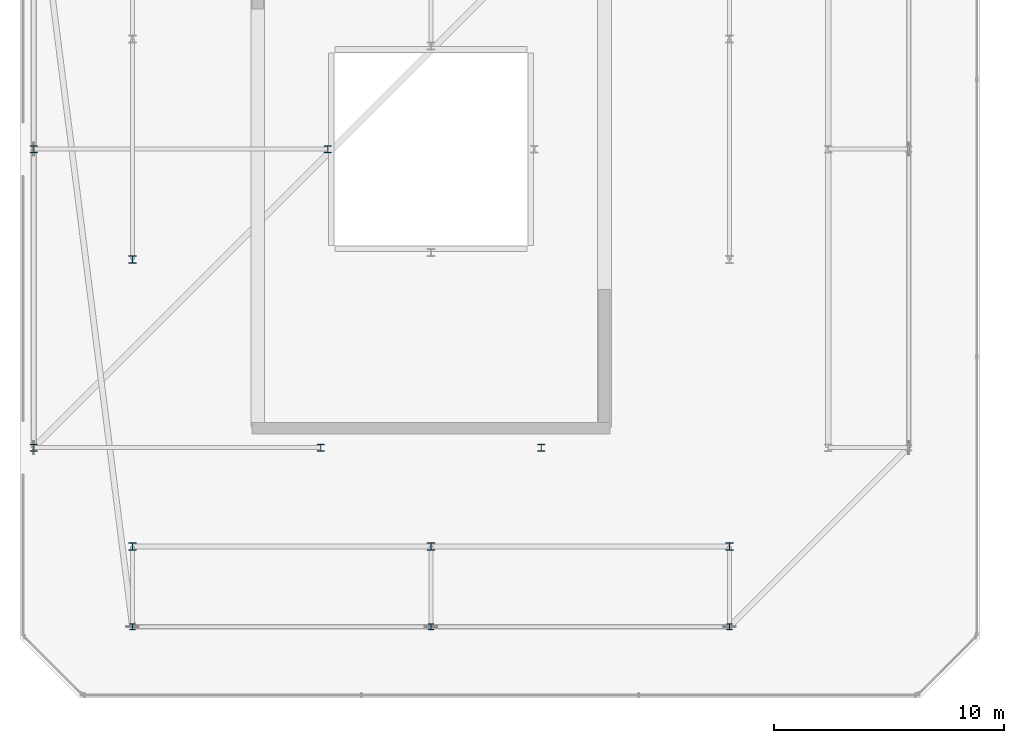
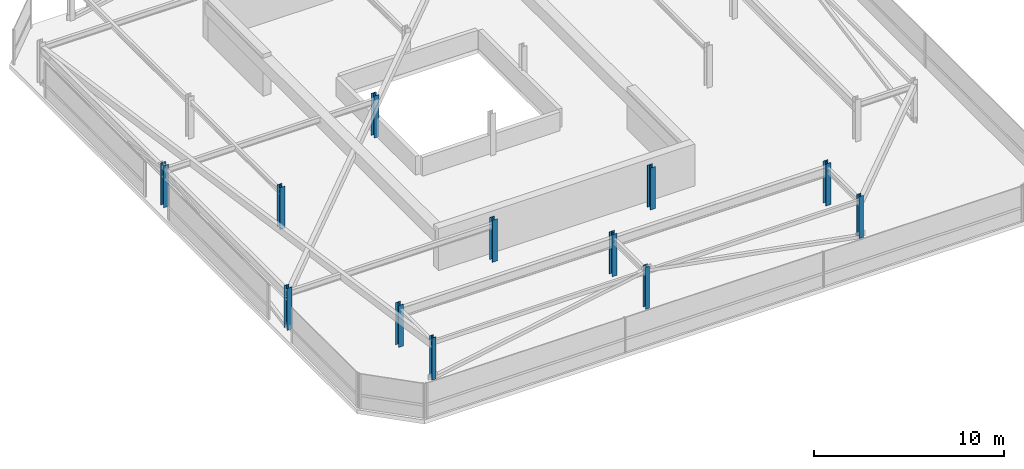
# One storey, part 1 of 44: 12 columns.
"""IFC4 building model written with IfcOpenShell, lengths in metres."""

from ifc_helpers import new_model, si_unit, direction, frame, origin, origin_2d, place, context, subcontext, project, spatial, i_section, extrude, material, material_profile, profile_set, type_object, element, save


model = new_model("IFC4")

# Units and contexts
model_context = context("Model", 3, precision=1e-05, world=origin(), true_north=direction((0.0, 1.0)))
body_context = subcontext(model_context, "Body", "Model", "MODEL_VIEW")
ifc_project = project(units=[si_unit("LENGTHUNIT", "METRE"), si_unit("AREAUNIT", "SQUARE_METRE"), si_unit("VOLUMEUNIT", "CUBIC_METRE"), si_unit("PLANEANGLEUNIT", "RADIAN"), si_unit("MASSUNIT", "GRAM", prefix="KILO")], contexts=[model_context])

# Site, building, storey
site_placement = place(None, origin())
site = spatial("IfcSite", under=ifc_project, at=site_placement, CompositionType="ELEMENT")
building_placement = place(site_placement, origin())
building = spatial("IfcBuilding", under=site, at=building_placement, Name="Thornwick Lancets Civic Towers", CompositionType="ELEMENT")
storey_placement = place(building_placement, frame((0.0, 0.0, 292.199951171875)))
storey = spatial("IfcBuildingStorey", under=building, at=storey_placement, Name="C05", CompositionType="ELEMENT", Elevation=292.199951171875)

# Columns
ifc_material = material(Name="Steel S355JR", Category="steel")
ifc_material_profile_1 = material_profile(ifc_material, i_section(OverallWidth=0.30908203125, OverallDepth=0.320556640625, WebThickness=0.013916015625, FlangeThickness=0.021728515625, FilletRadius=0.01513671875, at=origin_2d()), Name="UKC 305x305x137")
ifc_profile_set_1 = profile_set([ifc_material_profile_1], Name="Steel S355JR")
column_type_1 = type_object("IfcColumnType", Name="COL_UKC_137", PredefinedType="COLUMN", material=ifc_profile_set_1)
for number, where, z_axis, x_axis, name in (
    (1, (12.5, 9.699951171875, 0.0), (0.0, 0.0, 1.0), (1.0, 0.0, 0.0), "C05 Spine Mega-Column A01"),
    (2, (25.5, 9.699951171875, 0.0), (0.0, 0.0, 1.0), (1.0, 0.0, 0.0), "C05 Spine Mega-Column A02"),
    (3, (38.5, 9.699951171875, 0.0), (0.0, 0.0, 1.0), (1.0, 0.0, 0.0), "C05 Spine Mega-Column A03"),
    (4, (8.199951171875, 14.0, 0.0), (0.0, 0.0, 1.0), (1.0, 0.0, 0.0), "C05 Spine Mega-Column A10"),
    (5, (8.199951171875, 27.0, 0.0), (0.0, 0.0, 1.0), (1.0, 0.0, 0.0), "C05 Spine Mega-Column A11"),
    (6, (12.5, 22.199951171875, 0.0), (0.0, 0.0, 1.0), (1.0, 0.0, 0.0), "C05 Spine Mega-Column A13"),
    (7, (20.699951171875, 14.0, 0.0), (0.0, 0.0, 1.0), (1.0, 0.0, 0.0), "C05 Spine Mega-Column A17"),
    (8, (30.300048828125, 14.0, 0.0), (0.0, 0.0, 1.0), (1.0, 0.0, 0.0), "C05 Spine Mega-Column A18"),
    (9, (21.0, 27.0, 0.0), (0.0, 0.0, 1.0), (1.0, 0.0, 0.0), "C05 Spine Mega-Column A23"),
):
    element("IfcColumn", number, at=place(storey_placement, frame(where, z_axis=z_axis, x_axis=x_axis)), inside=storey, type_object=column_type_1, Name=name, PredefinedType="COLUMN", context=body_context, shape_type="SweptSolid", body=[
        extrude(i_section(OverallWidth=0.30908203125, OverallDepth=0.320556640625, WebThickness=0.013916015625, FlangeThickness=0.021728515625, FilletRadius=0.01513671875, at=origin_2d()), origin(), (0.0, 0.0, 1.0), 2.699951171875),
    ])
ifc_material_profile_2 = material_profile(ifc_material, i_section(OverallWidth=0.25634765625, OverallDepth=0.26025390625, WebThickness=0.01025390625, FlangeThickness=0.017333984375, FilletRadius=0.0126953125, at=origin_2d()), Name="UKC 254x254x89")
ifc_profile_set_2 = profile_set([ifc_material_profile_2], Name="Steel S355JR")
column_type_2 = type_object("IfcColumnType", Name="COL_UKC_89", PredefinedType="COLUMN", material=ifc_profile_set_2)
for number, where, z_axis, x_axis, name in (
    (10, (12.5, 6.199951171875, 0.0), (0.0, 0.0, 1.0), (1.0, 0.0, 0.0), "C05 Block Perimeter Column A01"),
    (11, (25.5, 6.199951171875, 0.0), (0.0, 0.0, 1.0), (1.0, 0.0, 0.0), "C05 Block Perimeter Column A02"),
    (12, (38.5, 6.199951171875, 0.0), (0.0, 0.0, 1.0), (1.0, 0.0, 0.0), "C05 Block Perimeter Column A03"),
):
    element("IfcColumn", number, at=place(storey_placement, frame(where, z_axis=z_axis, x_axis=x_axis)), inside=storey, type_object=column_type_2, Name=name, PredefinedType="COLUMN", context=body_context, shape_type="SweptSolid", body=[
        extrude(i_section(OverallWidth=0.25634765625, OverallDepth=0.26025390625, WebThickness=0.01025390625, FlangeThickness=0.017333984375, FilletRadius=0.0126953125, at=origin_2d()), origin(), (0.0, 0.0, 1.0), 2.699951171875),
    ])

save(model, "model.ifc")
